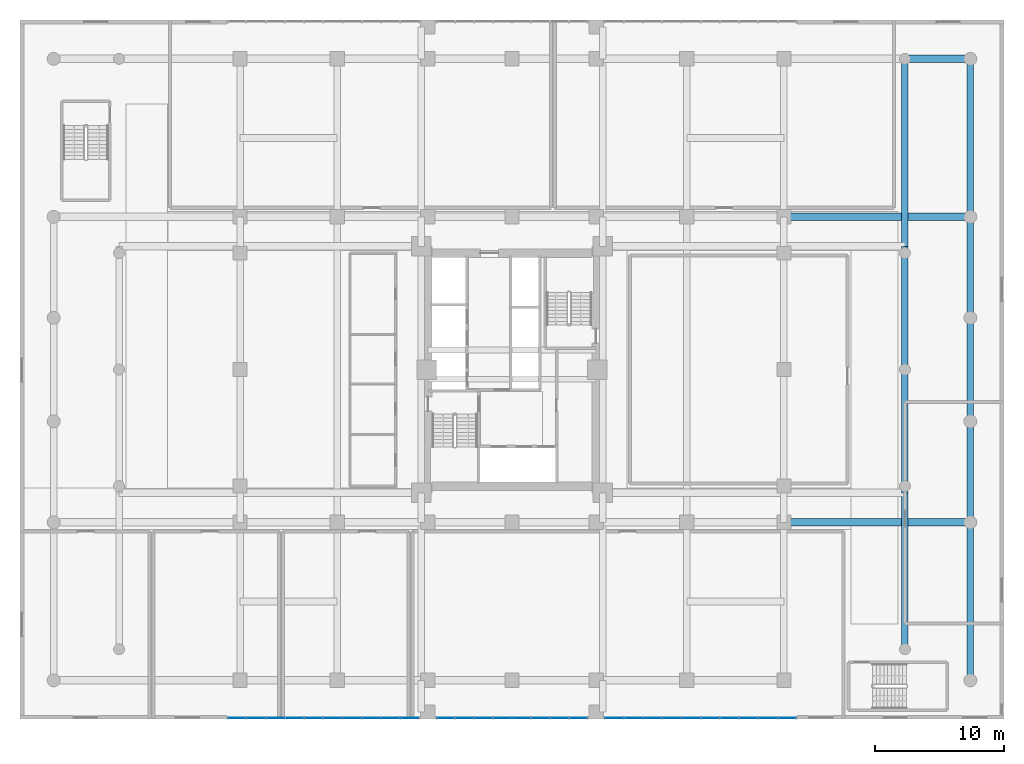
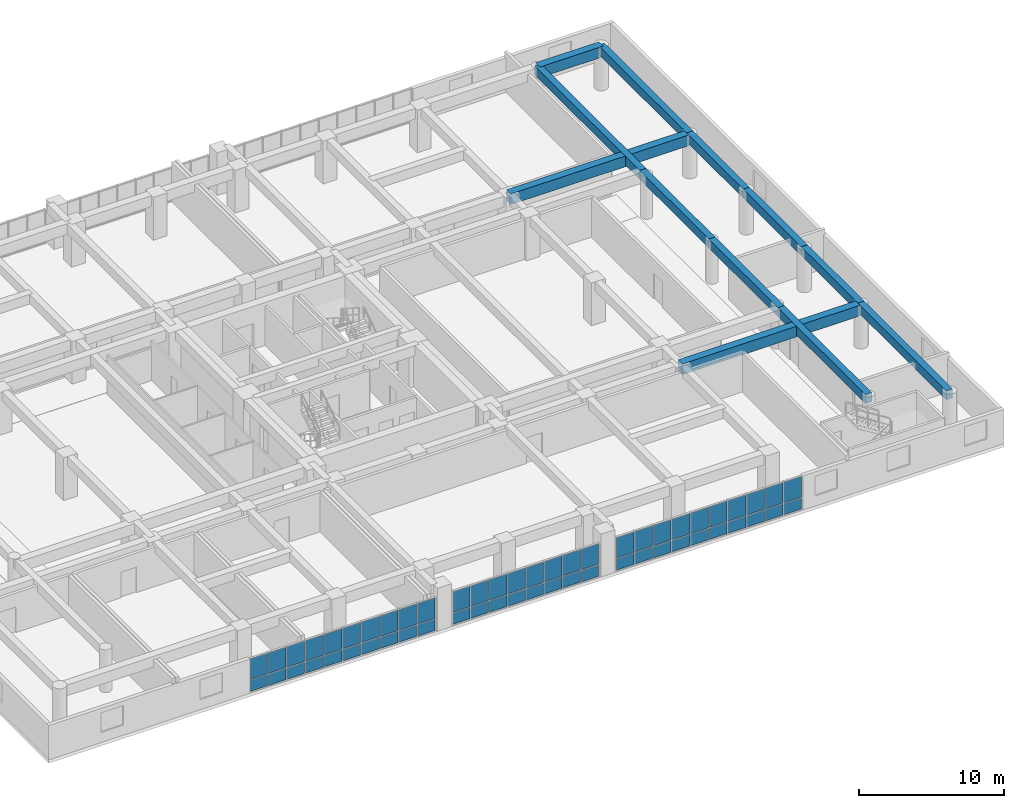
# One storey, part 16 of 30: 56 plates, 12 beams, 3 elements without a shape of their own.
"""IFC4 building model written with IfcOpenShell, lengths in metres."""

from ifc_helpers import new_model, si_unit, direction, frame, origin, origin_2d, place, context, subcontext, project, spatial, rectangle, extrude, source, transform, mapped, material, layer, layer_set, material_profile, profile_set, type_object, element, aggregate, save


model = new_model("IFC4")

# Units and contexts
model_context = context("Model", 3, precision=1e-05, world=origin(), true_north=direction((0.0, 1.0)))
body_context = subcontext(model_context, "Body", "Model", "MODEL_VIEW")
ifc_project = project(units=[si_unit("LENGTHUNIT", "METRE"), si_unit("AREAUNIT", "SQUARE_METRE"), si_unit("VOLUMEUNIT", "CUBIC_METRE"), si_unit("PLANEANGLEUNIT", "RADIAN"), si_unit("MASSUNIT", "GRAM", prefix="KILO")], contexts=[model_context])

# Site, building, storey
site_placement = place(None, origin())
site = spatial("IfcSite", under=ifc_project, at=site_placement, CompositionType="ELEMENT")
building_placement = place(site_placement, origin())
building = spatial("IfcBuilding", under=site, at=building_placement, Name="Saelheon Loggia Tower", CompositionType="ELEMENT")
storey_placement = place(building_placement, frame((0.0, 0.0, 7.800048828125)))
storey = spatial("IfcBuildingStorey", under=building, at=storey_placement, Name="L02", CompositionType="ELEMENT", Elevation=7.800048828125)

# Beams
ifc_material_1 = material(Name="Concrete C50/60", Category="concrete")
ifc_material_profile_1 = material_profile(ifc_material_1, rectangle(XDim=0.60009765625, YDim=0.89990234375, at=origin_2d()), Name="RC-600x900")
ifc_profile_set_1 = profile_set([ifc_material_profile_1], Name="Concrete C50/60")
beam_type_1 = type_object("IfcBeamType", Name="Beam_MainGirder_RC600x900", PredefinedType="BEAM", material=ifc_profile_set_1)
shared_shape_1 = source(origin(), body_context, "Body", "SweptSolid", [
    extrude(rectangle(XDim=0.60009765625, YDim=0.89990234375, at=origin_2d()), origin(), (0.0, 0.0, 1.0), 14.39990234375),
])
for number, where, z_axis, x_axis, name in (
    (1, (59.0, 15.199951171875, 3.14990234375), (1.0, 0.0, 0.0), (0.0, 1.0, 0.0), "BM-L02-EW-15-8"),
    (2, (59.0, 38.800048828125, 3.14990234375), (1.0, 0.0, 0.0), (0.0, 1.0, 0.0), "BM-L02-EW-38-8"),
):
    element("IfcBeam", number, at=place(storey_placement, frame(where, z_axis=z_axis, x_axis=x_axis)), inside=storey, type_object=beam_type_1, Name=name, PredefinedType="BEAM", context=body_context, shape_type="MappedRepresentation", body=[
        mapped(shared_shape_1, transform((0.0, 0.0, 0.0), scale=1.0)),
    ])
shared_shape_2 = source(origin(), body_context, "Body", "SweptSolid", [
    extrude(rectangle(XDim=0.60009765625, YDim=0.89990234375, at=origin_2d()), origin(), (0.0, 0.0, 1.0), 5.0498046875),
])
beam_1_placement = place(storey_placement, frame((68.35009765625, 51.0, 3.14990234375), z_axis=(1.0, 0.0, 0.0), x_axis=(0.0, 1.0, 0.0)))
element("IfcBeam", 3, at=beam_1_placement, inside=storey, type_object=beam_type_1, Name="BM-L02-EW-51-10", PredefinedType="BEAM", context=body_context, shape_type="MappedRepresentation", body=[
    mapped(shared_shape_2, transform((0.0, 0.0, 0.0), scale=1.0)),
])
ifc_material_2 = material(Name="Concrete C45/55", Category="concrete")
ifc_material_profile_2 = material_profile(ifc_material_2, rectangle(XDim=0.5, YDim=0.75, at=origin_2d()), Name="RC-500x750")
ifc_profile_set_2 = profile_set([ifc_material_profile_2], Name="Concrete C45/55")
beam_type_2 = type_object("IfcBeamType", Name="Beam_PerimGirder_RC500x750", PredefinedType="BEAM", material=ifc_profile_set_2)
shared_shape_3 = source(origin(), body_context, "Body", "SweptSolid", [
    extrude(rectangle(XDim=0.5, YDim=0.75, at=origin_2d()), origin(), (0.0, 0.0, 1.0), 12.199951171875),
])
for number, where, z_axis, x_axis, name in (
    (4, (73.39990234375, 3.0, 3.224853515625), (0.0, 1.0, 0.0), (-1.0, 0.0, 0.0), "BM-L02-NS-73-1"),
    (5, (73.39990234375, 38.800048828125, 3.224853515625), (0.0, 1.0, 0.0), (-1.0, 0.0, 0.0), "BM-L02-NS-73-5"),
):
    element("IfcBeam", number, at=place(storey_placement, frame(where, z_axis=z_axis, x_axis=x_axis)), inside=storey, type_object=beam_type_2, Name=name, PredefinedType="BEAM", context=body_context, shape_type="MappedRepresentation", body=[
        mapped(shared_shape_3, transform((0.0, 0.0, 0.0), scale=1.0)),
    ])
shared_shape_4 = source(origin(), body_context, "Body", "SweptSolid", [
    extrude(rectangle(XDim=0.5, YDim=0.75, at=origin_2d()), origin(), (0.0, 0.0, 1.0), 7.800048828125),
])
for number, where, z_axis, x_axis, name in (
    (6, (73.39990234375, 15.199951171875, 3.224853515625), (0.0, 1.0, 0.0), (-1.0, 0.0, 0.0), "BM-L02-NS-73-2"),
    (7, (73.39990234375, 31.0, 3.224853515625), (0.0, 1.0, 0.0), (-1.0, 0.0, 0.0), "BM-L02-NS-73-4"),
):
    element("IfcBeam", number, at=place(storey_placement, frame(where, z_axis=z_axis, x_axis=x_axis)), inside=storey, type_object=beam_type_2, Name=name, PredefinedType="BEAM", context=body_context, shape_type="MappedRepresentation", body=[
        mapped(shared_shape_4, transform((0.0, 0.0, 0.0), scale=1.0)),
    ])
shared_shape_5 = source(origin(), body_context, "Body", "SweptSolid", [
    extrude(rectangle(XDim=0.5, YDim=0.75, at=origin_2d()), origin(), (0.0, 0.0, 1.0), 8.0),
])
beam_2_placement = place(storey_placement, frame((73.39990234375, 23.0, 3.224853515625), z_axis=(0.0, 1.0, 0.0), x_axis=(-1.0, 0.0, 0.0)))
element("IfcBeam", 8, at=beam_2_placement, inside=storey, type_object=beam_type_2, Name="BM-L02-NS-73-3", PredefinedType="BEAM", context=body_context, shape_type="MappedRepresentation", body=[
    mapped(shared_shape_5, transform((0.0, 0.0, 0.0), scale=1.0)),
])
ifc_material_profile_3 = material_profile(ifc_material_2, rectangle(XDim=0.5, YDim=0.75, at=origin_2d()), Name="RC-500x750")
ifc_profile_set_3 = profile_set([ifc_material_profile_3], Name="Concrete C45/55")
beam_type_3 = type_object("IfcBeamType", Name="Beam_FloorGirder_RC500x750", PredefinedType="BEAM", material=ifc_profile_set_3)
shared_shape_6 = source(origin(), body_context, "Body", "SweptSolid", [
    extrude(rectangle(XDim=0.5, YDim=0.75, at=origin_2d()), origin(), (0.0, 0.0, 1.0), 12.080078125),
])
beam_3_placement = place(storey_placement, frame((68.35009765625, 5.39990234375, 3.224853515625), z_axis=(0.0, 1.0, 0.0), x_axis=(-1.0, 0.0, 0.0)))
element("IfcBeam", 9, at=beam_3_placement, inside=storey, type_object=beam_type_3, Name="BM-L02-NS-68-1", PredefinedType="BEAM", context=body_context, shape_type="MappedRepresentation", body=[
    mapped(shared_shape_6, transform((0.0, 0.0, 0.0), scale=1.0)),
])
shared_shape_7 = source(origin(), body_context, "Body", "SweptSolid", [
    extrude(rectangle(XDim=0.5, YDim=0.75, at=origin_2d()), origin(), (0.0, 0.0, 1.0), 9.52001953125),
])
for number, where, z_axis, x_axis, name in (
    (10, (68.35009765625, 17.47998046875, 3.224853515625), (0.0, 1.0, 0.0), (-1.0, 0.0, 0.0), "BM-L02-NS-68-2"),
    (11, (68.35009765625, 27.0, 3.224853515625), (0.0, 1.0, 0.0), (-1.0, 0.0, 0.0), "BM-L02-NS-68-3"),
):
    element("IfcBeam", number, at=place(storey_placement, frame(where, z_axis=z_axis, x_axis=x_axis)), inside=storey, type_object=beam_type_3, Name=name, PredefinedType="BEAM", context=body_context, shape_type="MappedRepresentation", body=[
        mapped(shared_shape_7, transform((0.0, 0.0, 0.0), scale=1.0)),
    ])
shared_shape_8 = source(origin(), body_context, "Body", "SweptSolid", [
    extrude(rectangle(XDim=0.5, YDim=0.75, at=origin_2d()), origin(), (0.0, 0.0, 1.0), 14.47998046875),
])
beam_4_placement = place(storey_placement, frame((68.35009765625, 36.52001953125, 3.224853515625), z_axis=(0.0, 1.0, 0.0), x_axis=(-1.0, 0.0, 0.0)))
element("IfcBeam", 12, at=beam_4_placement, inside=storey, type_object=beam_type_3, Name="BM-L02-NS-68-4", PredefinedType="BEAM", context=body_context, shape_type="MappedRepresentation", body=[
    mapped(shared_shape_8, transform((0.0, 0.0, 0.0), scale=1.0)),
])

# Curtain wall, plates
ifc_material_3 = material(Name="Aluminium 6063-T6 and Low-E IGU", Category="aluminium")
ifc_layer_1 = layer(ifc_material_3, 0.179931640625)
ifc_layer_set_1 = layer_set([ifc_layer_1], Name="Aluminium 6063-T6 and Low-E IGU")
curtain_wall_type = type_object("IfcCurtainWallType", Name="CW_PodiumClinic", PredefinedType="NOTDEFINED", material=ifc_layer_set_1)
curtain_wall_1_placement = place(storey_placement, origin())
curtain_wall_1 = element("IfcCurtainWall", 13, at=curtain_wall_1_placement, inside=storey, type_object=curtain_wall_type, Name="L02 South Clinic Curtain Wall 1", PredefinedType="NOTDEFINED")
ifc_material_4 = material(Name="Triple Low-E Laminated Glazing", Category="glass")
ifc_layer_2 = layer(ifc_material_4, 0.031982421875)
ifc_layer_set_2 = layer_set([ifc_layer_2], Name="Triple Low-E Laminated Glazing")
plate_type = type_object("IfcPlateType", Name="CW_PodiumClinic_Panel", PredefinedType="CURTAIN_PANEL", material=ifc_layer_set_2)
shared_shape_9 = source(origin(), body_context, "Body", "SweptSolid", [
    extrude(rectangle(XDim=1.3798828125, YDim=0.031982421875, at=origin_2d()), origin(), (0.0, 0.0, 1.0), 0.945068359375),
])
plate_1_placement = place(storey_placement, frame((16.760009765625, 0.10009765625, 0.06982421875), z_axis=(0.0, 0.0, 1.0), x_axis=(1.0, 0.0, 0.0)))
plate_1 = element("IfcPlate", 14, at=plate_1_placement, type_object=plate_type, Name="CW1 panel 1.1", PredefinedType="CURTAIN_PANEL", context=body_context, shape_type="MappedRepresentation", body=[
    mapped(shared_shape_9, transform((0.0, 0.0, 0.0), scale=1.0)),
])
plate_2_placement = place(storey_placement, frame((30.090087890625, 0.10009765625, 0.06982421875), z_axis=(0.0, 0.0, 1.0), x_axis=(1.0, 0.0, 0.0)))
plate_2 = element("IfcPlate", 15, at=plate_2_placement, type_object=plate_type, Name="CW1 panel 10.1", PredefinedType="CURTAIN_PANEL", context=body_context, shape_type="MappedRepresentation", body=[
    mapped(shared_shape_9, transform((0.0, 0.0, 0.0), scale=1.0)),
])

curtain_wall_2_placement = place(storey_placement, origin())
curtain_wall_2 = element("IfcCurtainWall", 16, at=curtain_wall_2_placement, inside=storey, type_object=curtain_wall_type, Name="L02 South Clinic Curtain Wall 3", PredefinedType="NOTDEFINED")
plate_3_placement = place(storey_placement, frame((45.909912109375, 0.10009765625, 0.06982421875), z_axis=(0.0, 0.0, 1.0), x_axis=(1.0, 0.0, 0.0)))
plate_3 = element("IfcPlate", 17, at=plate_3_placement, type_object=plate_type, Name="CW1 panel 1.1", PredefinedType="CURTAIN_PANEL", context=body_context, shape_type="MappedRepresentation", body=[
    mapped(shared_shape_9, transform((0.0, 0.0, 0.0), scale=1.0)),
])
plate_4_placement = place(storey_placement, frame((59.239990234375, 0.10009765625, 0.06982421875), z_axis=(0.0, 0.0, 1.0), x_axis=(1.0, 0.0, 0.0)))
plate_4 = element("IfcPlate", 18, at=plate_4_placement, type_object=plate_type, Name="CW1 panel 10.1", PredefinedType="CURTAIN_PANEL", context=body_context, shape_type="MappedRepresentation", body=[
    mapped(shared_shape_9, transform((0.0, 0.0, 0.0), scale=1.0)),
])

# Plate
shared_shape_10 = source(origin(), body_context, "Body", "SweptSolid", [
    extrude(rectangle(XDim=1.3798828125, YDim=0.031982421875, at=origin_2d()), origin(), (0.0, 0.0, 1.0), 1.72509765625),
])
plate_5_placement = place(storey_placement, frame((16.760009765625, 0.10009765625, 1.0849609375), z_axis=(0.0, 0.0, 1.0), x_axis=(1.0, 0.0, 0.0)))
plate_5 = element("IfcPlate", 19, at=plate_5_placement, type_object=plate_type, Name="CW1 panel 1.2", PredefinedType="CURTAIN_PANEL", context=body_context, shape_type="MappedRepresentation", body=[
    mapped(shared_shape_10, transform((0.0, 0.0, 0.0), scale=1.0)),
])

plate_6_placement = place(storey_placement, frame((30.090087890625, 0.10009765625, 1.0849609375), z_axis=(0.0, 0.0, 1.0), x_axis=(1.0, 0.0, 0.0)))
plate_6 = element("IfcPlate", 20, at=plate_6_placement, type_object=plate_type, Name="CW1 panel 10.2", PredefinedType="CURTAIN_PANEL", context=body_context, shape_type="MappedRepresentation", body=[
    mapped(shared_shape_10, transform((0.0, 0.0, 0.0), scale=1.0)),
])

plate_7_placement = place(storey_placement, frame((45.909912109375, 0.10009765625, 1.0849609375), z_axis=(0.0, 0.0, 1.0), x_axis=(1.0, 0.0, 0.0)))
plate_7 = element("IfcPlate", 21, at=plate_7_placement, type_object=plate_type, Name="CW1 panel 1.2", PredefinedType="CURTAIN_PANEL", context=body_context, shape_type="MappedRepresentation", body=[
    mapped(shared_shape_10, transform((0.0, 0.0, 0.0), scale=1.0)),
])

plate_8_placement = place(storey_placement, frame((59.239990234375, 0.10009765625, 1.0849609375), z_axis=(0.0, 0.0, 1.0), x_axis=(1.0, 0.0, 0.0)))
plate_8 = element("IfcPlate", 22, at=plate_8_placement, type_object=plate_type, Name="CW1 panel 10.2", PredefinedType="CURTAIN_PANEL", context=body_context, shape_type="MappedRepresentation", body=[
    mapped(shared_shape_10, transform((0.0, 0.0, 0.0), scale=1.0)),
])

shared_shape_11 = source(origin(), body_context, "Body", "SweptSolid", [
    extrude(rectangle(XDim=1.4150390625, YDim=0.031982421875, at=origin_2d()), origin(), (0.0, 0.0, 1.0), 0.945068359375),
])
plate_9_placement = place(storey_placement, frame((18.2275390625, 0.10009765625, 0.06982421875), z_axis=(0.0, 0.0, 1.0), x_axis=(1.0, 0.0, 0.0)))
plate_9 = element("IfcPlate", 23, at=plate_9_placement, type_object=plate_type, Name="CW1 panel 2.1", PredefinedType="CURTAIN_PANEL", context=body_context, shape_type="MappedRepresentation", body=[
    mapped(shared_shape_11, transform((0.0, 0.0, 0.0), scale=1.0)),
])

plate_10_placement = place(storey_placement, frame((19.71240234375, 0.10009765625, 0.06982421875), z_axis=(0.0, 0.0, 1.0), x_axis=(1.0, 0.0, 0.0)))
plate_10 = element("IfcPlate", 24, at=plate_10_placement, type_object=plate_type, Name="CW1 panel 3.1", PredefinedType="CURTAIN_PANEL", context=body_context, shape_type="MappedRepresentation", body=[
    mapped(shared_shape_11, transform((0.0, 0.0, 0.0), scale=1.0)),
])

plate_11_placement = place(storey_placement, frame((21.197509765625, 0.10009765625, 0.06982421875), z_axis=(0.0, 0.0, 1.0), x_axis=(1.0, 0.0, 0.0)))
plate_11 = element("IfcPlate", 25, at=plate_11_placement, type_object=plate_type, Name="CW1 panel 4.1", PredefinedType="CURTAIN_PANEL", context=body_context, shape_type="MappedRepresentation", body=[
    mapped(shared_shape_11, transform((0.0, 0.0, 0.0), scale=1.0)),
])

plate_12_placement = place(storey_placement, frame((22.6826171875, 0.10009765625, 0.06982421875), z_axis=(0.0, 0.0, 1.0), x_axis=(1.0, 0.0, 0.0)))
plate_12 = element("IfcPlate", 26, at=plate_12_placement, type_object=plate_type, Name="CW1 panel 5.1", PredefinedType="CURTAIN_PANEL", context=body_context, shape_type="MappedRepresentation", body=[
    mapped(shared_shape_11, transform((0.0, 0.0, 0.0), scale=1.0)),
])

plate_13_placement = place(storey_placement, frame((24.16748046875, 0.10009765625, 0.06982421875), z_axis=(0.0, 0.0, 1.0), x_axis=(1.0, 0.0, 0.0)))
plate_13 = element("IfcPlate", 27, at=plate_13_placement, type_object=plate_type, Name="CW1 panel 6.1", PredefinedType="CURTAIN_PANEL", context=body_context, shape_type="MappedRepresentation", body=[
    mapped(shared_shape_11, transform((0.0, 0.0, 0.0), scale=1.0)),
])

plate_14_placement = place(storey_placement, frame((25.652587890625, 0.10009765625, 0.06982421875), z_axis=(0.0, 0.0, 1.0), x_axis=(1.0, 0.0, 0.0)))
plate_14 = element("IfcPlate", 28, at=plate_14_placement, type_object=plate_type, Name="CW1 panel 7.1", PredefinedType="CURTAIN_PANEL", context=body_context, shape_type="MappedRepresentation", body=[
    mapped(shared_shape_11, transform((0.0, 0.0, 0.0), scale=1.0)),
])

plate_15_placement = place(storey_placement, frame((27.137451171875, 0.10009765625, 0.06982421875), z_axis=(0.0, 0.0, 1.0), x_axis=(1.0, 0.0, 0.0)))
plate_15 = element("IfcPlate", 29, at=plate_15_placement, type_object=plate_type, Name="CW1 panel 8.1", PredefinedType="CURTAIN_PANEL", context=body_context, shape_type="MappedRepresentation", body=[
    mapped(shared_shape_11, transform((0.0, 0.0, 0.0), scale=1.0)),
])

plate_16_placement = place(storey_placement, frame((28.62255859375, 0.10009765625, 0.06982421875), z_axis=(0.0, 0.0, 1.0), x_axis=(1.0, 0.0, 0.0)))
plate_16 = element("IfcPlate", 30, at=plate_16_placement, type_object=plate_type, Name="CW1 panel 9.1", PredefinedType="CURTAIN_PANEL", context=body_context, shape_type="MappedRepresentation", body=[
    mapped(shared_shape_11, transform((0.0, 0.0, 0.0), scale=1.0)),
])

plate_17_placement = place(storey_placement, frame((47.37744140625, 0.10009765625, 0.06982421875), z_axis=(0.0, 0.0, 1.0), x_axis=(1.0, 0.0, 0.0)))
plate_17 = element("IfcPlate", 31, at=plate_17_placement, type_object=plate_type, Name="CW1 panel 2.1", PredefinedType="CURTAIN_PANEL", context=body_context, shape_type="MappedRepresentation", body=[
    mapped(shared_shape_11, transform((0.0, 0.0, 0.0), scale=1.0)),
])

plate_18_placement = place(storey_placement, frame((48.862548828125, 0.10009765625, 0.06982421875), z_axis=(0.0, 0.0, 1.0), x_axis=(1.0, 0.0, 0.0)))
plate_18 = element("IfcPlate", 32, at=plate_18_placement, type_object=plate_type, Name="CW1 panel 3.1", PredefinedType="CURTAIN_PANEL", context=body_context, shape_type="MappedRepresentation", body=[
    mapped(shared_shape_11, transform((0.0, 0.0, 0.0), scale=1.0)),
])

plate_19_placement = place(storey_placement, frame((50.347412109375, 0.10009765625, 0.06982421875), z_axis=(0.0, 0.0, 1.0), x_axis=(1.0, 0.0, 0.0)))
plate_19 = element("IfcPlate", 33, at=plate_19_placement, type_object=plate_type, Name="CW1 panel 4.1", PredefinedType="CURTAIN_PANEL", context=body_context, shape_type="MappedRepresentation", body=[
    mapped(shared_shape_11, transform((0.0, 0.0, 0.0), scale=1.0)),
])

plate_20_placement = place(storey_placement, frame((51.83251953125, 0.10009765625, 0.06982421875), z_axis=(0.0, 0.0, 1.0), x_axis=(1.0, 0.0, 0.0)))
plate_20 = element("IfcPlate", 34, at=plate_20_placement, type_object=plate_type, Name="CW1 panel 5.1", PredefinedType="CURTAIN_PANEL", context=body_context, shape_type="MappedRepresentation", body=[
    mapped(shared_shape_11, transform((0.0, 0.0, 0.0), scale=1.0)),
])

plate_21_placement = place(storey_placement, frame((53.3173828125, 0.10009765625, 0.06982421875), z_axis=(0.0, 0.0, 1.0), x_axis=(1.0, 0.0, 0.0)))
plate_21 = element("IfcPlate", 35, at=plate_21_placement, type_object=plate_type, Name="CW1 panel 6.1", PredefinedType="CURTAIN_PANEL", context=body_context, shape_type="MappedRepresentation", body=[
    mapped(shared_shape_11, transform((0.0, 0.0, 0.0), scale=1.0)),
])

plate_22_placement = place(storey_placement, frame((54.802490234375, 0.10009765625, 0.06982421875), z_axis=(0.0, 0.0, 1.0), x_axis=(1.0, 0.0, 0.0)))
plate_22 = element("IfcPlate", 36, at=plate_22_placement, type_object=plate_type, Name="CW1 panel 7.1", PredefinedType="CURTAIN_PANEL", context=body_context, shape_type="MappedRepresentation", body=[
    mapped(shared_shape_11, transform((0.0, 0.0, 0.0), scale=1.0)),
])

plate_23_placement = place(storey_placement, frame((56.28759765625, 0.10009765625, 0.06982421875), z_axis=(0.0, 0.0, 1.0), x_axis=(1.0, 0.0, 0.0)))
plate_23 = element("IfcPlate", 37, at=plate_23_placement, type_object=plate_type, Name="CW1 panel 8.1", PredefinedType="CURTAIN_PANEL", context=body_context, shape_type="MappedRepresentation", body=[
    mapped(shared_shape_11, transform((0.0, 0.0, 0.0), scale=1.0)),
])

plate_24_placement = place(storey_placement, frame((57.7724609375, 0.10009765625, 0.06982421875), z_axis=(0.0, 0.0, 1.0), x_axis=(1.0, 0.0, 0.0)))
plate_24 = element("IfcPlate", 38, at=plate_24_placement, type_object=plate_type, Name="CW1 panel 9.1", PredefinedType="CURTAIN_PANEL", context=body_context, shape_type="MappedRepresentation", body=[
    mapped(shared_shape_11, transform((0.0, 0.0, 0.0), scale=1.0)),
])

shared_shape_12 = source(origin(), body_context, "Body", "SweptSolid", [
    extrude(rectangle(XDim=1.4150390625, YDim=0.031982421875, at=origin_2d()), origin(), (0.0, 0.0, 1.0), 1.72509765625),
])
plate_25_placement = place(storey_placement, frame((18.2275390625, 0.10009765625, 1.0849609375), z_axis=(0.0, 0.0, 1.0), x_axis=(1.0, 0.0, 0.0)))
plate_25 = element("IfcPlate", 39, at=plate_25_placement, type_object=plate_type, Name="CW1 panel 2.2", PredefinedType="CURTAIN_PANEL", context=body_context, shape_type="MappedRepresentation", body=[
    mapped(shared_shape_12, transform((0.0, 0.0, 0.0), scale=1.0)),
])

plate_26_placement = place(storey_placement, frame((19.71240234375, 0.10009765625, 1.0849609375), z_axis=(0.0, 0.0, 1.0), x_axis=(1.0, 0.0, 0.0)))
plate_26 = element("IfcPlate", 40, at=plate_26_placement, type_object=plate_type, Name="CW1 panel 3.2", PredefinedType="CURTAIN_PANEL", context=body_context, shape_type="MappedRepresentation", body=[
    mapped(shared_shape_12, transform((0.0, 0.0, 0.0), scale=1.0)),
])

plate_27_placement = place(storey_placement, frame((21.197509765625, 0.10009765625, 1.0849609375), z_axis=(0.0, 0.0, 1.0), x_axis=(1.0, 0.0, 0.0)))
plate_27 = element("IfcPlate", 41, at=plate_27_placement, type_object=plate_type, Name="CW1 panel 4.2", PredefinedType="CURTAIN_PANEL", context=body_context, shape_type="MappedRepresentation", body=[
    mapped(shared_shape_12, transform((0.0, 0.0, 0.0), scale=1.0)),
])

plate_28_placement = place(storey_placement, frame((22.6826171875, 0.10009765625, 1.0849609375), z_axis=(0.0, 0.0, 1.0), x_axis=(1.0, 0.0, 0.0)))
plate_28 = element("IfcPlate", 42, at=plate_28_placement, type_object=plate_type, Name="CW1 panel 5.2", PredefinedType="CURTAIN_PANEL", context=body_context, shape_type="MappedRepresentation", body=[
    mapped(shared_shape_12, transform((0.0, 0.0, 0.0), scale=1.0)),
])

plate_29_placement = place(storey_placement, frame((24.16748046875, 0.10009765625, 1.0849609375), z_axis=(0.0, 0.0, 1.0), x_axis=(1.0, 0.0, 0.0)))
plate_29 = element("IfcPlate", 43, at=plate_29_placement, type_object=plate_type, Name="CW1 panel 6.2", PredefinedType="CURTAIN_PANEL", context=body_context, shape_type="MappedRepresentation", body=[
    mapped(shared_shape_12, transform((0.0, 0.0, 0.0), scale=1.0)),
])

plate_30_placement = place(storey_placement, frame((25.652587890625, 0.10009765625, 1.0849609375), z_axis=(0.0, 0.0, 1.0), x_axis=(1.0, 0.0, 0.0)))
plate_30 = element("IfcPlate", 44, at=plate_30_placement, type_object=plate_type, Name="CW1 panel 7.2", PredefinedType="CURTAIN_PANEL", context=body_context, shape_type="MappedRepresentation", body=[
    mapped(shared_shape_12, transform((0.0, 0.0, 0.0), scale=1.0)),
])

plate_31_placement = place(storey_placement, frame((27.137451171875, 0.10009765625, 1.0849609375), z_axis=(0.0, 0.0, 1.0), x_axis=(1.0, 0.0, 0.0)))
plate_31 = element("IfcPlate", 45, at=plate_31_placement, type_object=plate_type, Name="CW1 panel 8.2", PredefinedType="CURTAIN_PANEL", context=body_context, shape_type="MappedRepresentation", body=[
    mapped(shared_shape_12, transform((0.0, 0.0, 0.0), scale=1.0)),
])

plate_32_placement = place(storey_placement, frame((28.62255859375, 0.10009765625, 1.0849609375), z_axis=(0.0, 0.0, 1.0), x_axis=(1.0, 0.0, 0.0)))
plate_32 = element("IfcPlate", 46, at=plate_32_placement, type_object=plate_type, Name="CW1 panel 9.2", PredefinedType="CURTAIN_PANEL", context=body_context, shape_type="MappedRepresentation", body=[
    mapped(shared_shape_12, transform((0.0, 0.0, 0.0), scale=1.0)),
])

aggregate(curtain_wall_1, [plate_1, plate_5, plate_9, plate_25, plate_10, plate_26, plate_11, plate_27, plate_12, plate_28, plate_13, plate_29, plate_14, plate_30, plate_15, plate_31, plate_16, plate_32, plate_2, plate_6])

plate_33_placement = place(storey_placement, frame((47.37744140625, 0.10009765625, 1.0849609375), z_axis=(0.0, 0.0, 1.0), x_axis=(1.0, 0.0, 0.0)))
plate_33 = element("IfcPlate", 47, at=plate_33_placement, type_object=plate_type, Name="CW1 panel 2.2", PredefinedType="CURTAIN_PANEL", context=body_context, shape_type="MappedRepresentation", body=[
    mapped(shared_shape_12, transform((0.0, 0.0, 0.0), scale=1.0)),
])

plate_34_placement = place(storey_placement, frame((48.862548828125, 0.10009765625, 1.0849609375), z_axis=(0.0, 0.0, 1.0), x_axis=(1.0, 0.0, 0.0)))
plate_34 = element("IfcPlate", 48, at=plate_34_placement, type_object=plate_type, Name="CW1 panel 3.2", PredefinedType="CURTAIN_PANEL", context=body_context, shape_type="MappedRepresentation", body=[
    mapped(shared_shape_12, transform((0.0, 0.0, 0.0), scale=1.0)),
])

plate_35_placement = place(storey_placement, frame((50.347412109375, 0.10009765625, 1.0849609375), z_axis=(0.0, 0.0, 1.0), x_axis=(1.0, 0.0, 0.0)))
plate_35 = element("IfcPlate", 49, at=plate_35_placement, type_object=plate_type, Name="CW1 panel 4.2", PredefinedType="CURTAIN_PANEL", context=body_context, shape_type="MappedRepresentation", body=[
    mapped(shared_shape_12, transform((0.0, 0.0, 0.0), scale=1.0)),
])

plate_36_placement = place(storey_placement, frame((51.83251953125, 0.10009765625, 1.0849609375), z_axis=(0.0, 0.0, 1.0), x_axis=(1.0, 0.0, 0.0)))
plate_36 = element("IfcPlate", 50, at=plate_36_placement, type_object=plate_type, Name="CW1 panel 5.2", PredefinedType="CURTAIN_PANEL", context=body_context, shape_type="MappedRepresentation", body=[
    mapped(shared_shape_12, transform((0.0, 0.0, 0.0), scale=1.0)),
])

plate_37_placement = place(storey_placement, frame((53.3173828125, 0.10009765625, 1.0849609375), z_axis=(0.0, 0.0, 1.0), x_axis=(1.0, 0.0, 0.0)))
plate_37 = element("IfcPlate", 51, at=plate_37_placement, type_object=plate_type, Name="CW1 panel 6.2", PredefinedType="CURTAIN_PANEL", context=body_context, shape_type="MappedRepresentation", body=[
    mapped(shared_shape_12, transform((0.0, 0.0, 0.0), scale=1.0)),
])

plate_38_placement = place(storey_placement, frame((54.802490234375, 0.10009765625, 1.0849609375), z_axis=(0.0, 0.0, 1.0), x_axis=(1.0, 0.0, 0.0)))
plate_38 = element("IfcPlate", 52, at=plate_38_placement, type_object=plate_type, Name="CW1 panel 7.2", PredefinedType="CURTAIN_PANEL", context=body_context, shape_type="MappedRepresentation", body=[
    mapped(shared_shape_12, transform((0.0, 0.0, 0.0), scale=1.0)),
])

plate_39_placement = place(storey_placement, frame((56.28759765625, 0.10009765625, 1.0849609375), z_axis=(0.0, 0.0, 1.0), x_axis=(1.0, 0.0, 0.0)))
plate_39 = element("IfcPlate", 53, at=plate_39_placement, type_object=plate_type, Name="CW1 panel 8.2", PredefinedType="CURTAIN_PANEL", context=body_context, shape_type="MappedRepresentation", body=[
    mapped(shared_shape_12, transform((0.0, 0.0, 0.0), scale=1.0)),
])

plate_40_placement = place(storey_placement, frame((57.7724609375, 0.10009765625, 1.0849609375), z_axis=(0.0, 0.0, 1.0), x_axis=(1.0, 0.0, 0.0)))
plate_40 = element("IfcPlate", 54, at=plate_40_placement, type_object=plate_type, Name="CW1 panel 9.2", PredefinedType="CURTAIN_PANEL", context=body_context, shape_type="MappedRepresentation", body=[
    mapped(shared_shape_12, transform((0.0, 0.0, 0.0), scale=1.0)),
])

aggregate(curtain_wall_2, [plate_3, plate_7, plate_17, plate_33, plate_18, plate_34, plate_19, plate_35, plate_20, plate_36, plate_21, plate_37, plate_22, plate_38, plate_23, plate_39, plate_24, plate_40, plate_4, plate_8])

# Curtain wall, plates
curtain_wall_3_placement = place(storey_placement, origin())
curtain_wall_3 = element("IfcCurtainWall", 55, at=curtain_wall_3_placement, inside=storey, type_object=curtain_wall_type, Name="L02 South Clinic Curtain Wall 2", PredefinedType="NOTDEFINED")
shared_shape_13 = source(origin(), body_context, "Body", "SweptSolid", [
    extrude(rectangle(XDim=1.357421875, YDim=0.031982421875, at=origin_2d()), origin(), (0.0, 0.0, 1.0), 0.945068359375),
])
plate_41_placement = place(storey_placement, frame((32.898681640625, 0.10009765625, 0.06982421875), z_axis=(0.0, 0.0, 1.0), x_axis=(1.0, 0.0, 0.0)))
plate_41 = element("IfcPlate", 56, at=plate_41_placement, type_object=plate_type, Name="CW1 panel 1.1", PredefinedType="CURTAIN_PANEL", context=body_context, shape_type="MappedRepresentation", body=[
    mapped(shared_shape_13, transform((0.0, 0.0, 0.0), scale=1.0)),
])
plate_42_placement = place(storey_placement, frame((43.101318359375, 0.10009765625, 0.06982421875), z_axis=(0.0, 0.0, 1.0), x_axis=(1.0, 0.0, 0.0)))
plate_42 = element("IfcPlate", 57, at=plate_42_placement, type_object=plate_type, Name="CW1 panel 8.1", PredefinedType="CURTAIN_PANEL", context=body_context, shape_type="MappedRepresentation", body=[
    mapped(shared_shape_13, transform((0.0, 0.0, 0.0), scale=1.0)),
])
shared_shape_14 = source(origin(), body_context, "Body", "SweptSolid", [
    extrude(rectangle(XDim=1.357421875, YDim=0.031982421875, at=origin_2d()), origin(), (0.0, 0.0, 1.0), 1.72509765625),
])
plate_43_placement = place(storey_placement, frame((32.898681640625, 0.10009765625, 1.0849609375), z_axis=(0.0, 0.0, 1.0), x_axis=(1.0, 0.0, 0.0)))
plate_43 = element("IfcPlate", 58, at=plate_43_placement, type_object=plate_type, Name="CW1 panel 1.2", PredefinedType="CURTAIN_PANEL", context=body_context, shape_type="MappedRepresentation", body=[
    mapped(shared_shape_14, transform((0.0, 0.0, 0.0), scale=1.0)),
])
plate_44_placement = place(storey_placement, frame((43.101318359375, 0.10009765625, 1.0849609375), z_axis=(0.0, 0.0, 1.0), x_axis=(1.0, 0.0, 0.0)))
plate_44 = element("IfcPlate", 59, at=plate_44_placement, type_object=plate_type, Name="CW1 panel 8.2", PredefinedType="CURTAIN_PANEL", context=body_context, shape_type="MappedRepresentation", body=[
    mapped(shared_shape_14, transform((0.0, 0.0, 0.0), scale=1.0)),
])
shared_shape_15 = source(origin(), body_context, "Body", "SweptSolid", [
    extrude(rectangle(XDim=1.392578125, YDim=0.031982421875, at=origin_2d()), origin(), (0.0, 0.0, 1.0), 0.945068359375),
])
plate_45_placement = place(storey_placement, frame((34.34375, 0.10009765625, 0.06982421875), z_axis=(0.0, 0.0, 1.0), x_axis=(1.0, 0.0, 0.0)))
plate_45 = element("IfcPlate", 60, at=plate_45_placement, type_object=plate_type, Name="CW1 panel 2.1", PredefinedType="CURTAIN_PANEL", context=body_context, shape_type="MappedRepresentation", body=[
    mapped(shared_shape_15, transform((0.0, 0.0, 0.0), scale=1.0)),
])
plate_46_placement = place(storey_placement, frame((35.80615234375, 0.10009765625, 0.06982421875), z_axis=(0.0, 0.0, 1.0), x_axis=(1.0, 0.0, 0.0)))
plate_46 = element("IfcPlate", 61, at=plate_46_placement, type_object=plate_type, Name="CW1 panel 3.1", PredefinedType="CURTAIN_PANEL", context=body_context, shape_type="MappedRepresentation", body=[
    mapped(shared_shape_15, transform((0.0, 0.0, 0.0), scale=1.0)),
])
plate_47_placement = place(storey_placement, frame((37.268798828125, 0.10009765625, 0.06982421875), z_axis=(0.0, 0.0, 1.0), x_axis=(1.0, 0.0, 0.0)))
plate_47 = element("IfcPlate", 62, at=plate_47_placement, type_object=plate_type, Name="CW1 panel 4.1", PredefinedType="CURTAIN_PANEL", context=body_context, shape_type="MappedRepresentation", body=[
    mapped(shared_shape_15, transform((0.0, 0.0, 0.0), scale=1.0)),
])
plate_48_placement = place(storey_placement, frame((38.731201171875, 0.10009765625, 0.06982421875), z_axis=(0.0, 0.0, 1.0), x_axis=(1.0, 0.0, 0.0)))
plate_48 = element("IfcPlate", 63, at=plate_48_placement, type_object=plate_type, Name="CW1 panel 5.1", PredefinedType="CURTAIN_PANEL", context=body_context, shape_type="MappedRepresentation", body=[
    mapped(shared_shape_15, transform((0.0, 0.0, 0.0), scale=1.0)),
])
plate_49_placement = place(storey_placement, frame((40.19384765625, 0.10009765625, 0.06982421875), z_axis=(0.0, 0.0, 1.0), x_axis=(1.0, 0.0, 0.0)))
plate_49 = element("IfcPlate", 64, at=plate_49_placement, type_object=plate_type, Name="CW1 panel 6.1", PredefinedType="CURTAIN_PANEL", context=body_context, shape_type="MappedRepresentation", body=[
    mapped(shared_shape_15, transform((0.0, 0.0, 0.0), scale=1.0)),
])
plate_50_placement = place(storey_placement, frame((41.65625, 0.10009765625, 0.06982421875), z_axis=(0.0, 0.0, 1.0), x_axis=(1.0, 0.0, 0.0)))
plate_50 = element("IfcPlate", 65, at=plate_50_placement, type_object=plate_type, Name="CW1 panel 7.1", PredefinedType="CURTAIN_PANEL", context=body_context, shape_type="MappedRepresentation", body=[
    mapped(shared_shape_15, transform((0.0, 0.0, 0.0), scale=1.0)),
])
shared_shape_16 = source(origin(), body_context, "Body", "SweptSolid", [
    extrude(rectangle(XDim=1.392578125, YDim=0.031982421875, at=origin_2d()), origin(), (0.0, 0.0, 1.0), 1.72509765625),
])
plate_51_placement = place(storey_placement, frame((34.34375, 0.10009765625, 1.0849609375), z_axis=(0.0, 0.0, 1.0), x_axis=(1.0, 0.0, 0.0)))
plate_51 = element("IfcPlate", 66, at=plate_51_placement, type_object=plate_type, Name="CW1 panel 2.2", PredefinedType="CURTAIN_PANEL", context=body_context, shape_type="MappedRepresentation", body=[
    mapped(shared_shape_16, transform((0.0, 0.0, 0.0), scale=1.0)),
])
plate_52_placement = place(storey_placement, frame((35.80615234375, 0.10009765625, 1.0849609375), z_axis=(0.0, 0.0, 1.0), x_axis=(1.0, 0.0, 0.0)))
plate_52 = element("IfcPlate", 67, at=plate_52_placement, type_object=plate_type, Name="CW1 panel 3.2", PredefinedType="CURTAIN_PANEL", context=body_context, shape_type="MappedRepresentation", body=[
    mapped(shared_shape_16, transform((0.0, 0.0, 0.0), scale=1.0)),
])
plate_53_placement = place(storey_placement, frame((37.268798828125, 0.10009765625, 1.0849609375), z_axis=(0.0, 0.0, 1.0), x_axis=(1.0, 0.0, 0.0)))
plate_53 = element("IfcPlate", 68, at=plate_53_placement, type_object=plate_type, Name="CW1 panel 4.2", PredefinedType="CURTAIN_PANEL", context=body_context, shape_type="MappedRepresentation", body=[
    mapped(shared_shape_16, transform((0.0, 0.0, 0.0), scale=1.0)),
])
plate_54_placement = place(storey_placement, frame((38.731201171875, 0.10009765625, 1.0849609375), z_axis=(0.0, 0.0, 1.0), x_axis=(1.0, 0.0, 0.0)))
plate_54 = element("IfcPlate", 69, at=plate_54_placement, type_object=plate_type, Name="CW1 panel 5.2", PredefinedType="CURTAIN_PANEL", context=body_context, shape_type="MappedRepresentation", body=[
    mapped(shared_shape_16, transform((0.0, 0.0, 0.0), scale=1.0)),
])
plate_55_placement = place(storey_placement, frame((40.19384765625, 0.10009765625, 1.0849609375), z_axis=(0.0, 0.0, 1.0), x_axis=(1.0, 0.0, 0.0)))
plate_55 = element("IfcPlate", 70, at=plate_55_placement, type_object=plate_type, Name="CW1 panel 6.2", PredefinedType="CURTAIN_PANEL", context=body_context, shape_type="MappedRepresentation", body=[
    mapped(shared_shape_16, transform((0.0, 0.0, 0.0), scale=1.0)),
])
plate_56_placement = place(storey_placement, frame((41.65625, 0.10009765625, 1.0849609375), z_axis=(0.0, 0.0, 1.0), x_axis=(1.0, 0.0, 0.0)))
plate_56 = element("IfcPlate", 71, at=plate_56_placement, type_object=plate_type, Name="CW1 panel 7.2", PredefinedType="CURTAIN_PANEL", context=body_context, shape_type="MappedRepresentation", body=[
    mapped(shared_shape_16, transform((0.0, 0.0, 0.0), scale=1.0)),
])
aggregate(curtain_wall_3, [plate_41, plate_43, plate_45, plate_51, plate_46, plate_52, plate_47, plate_53, plate_48, plate_54, plate_49, plate_55, plate_50, plate_56, plate_42, plate_44])

save(model, "model.ifc")
